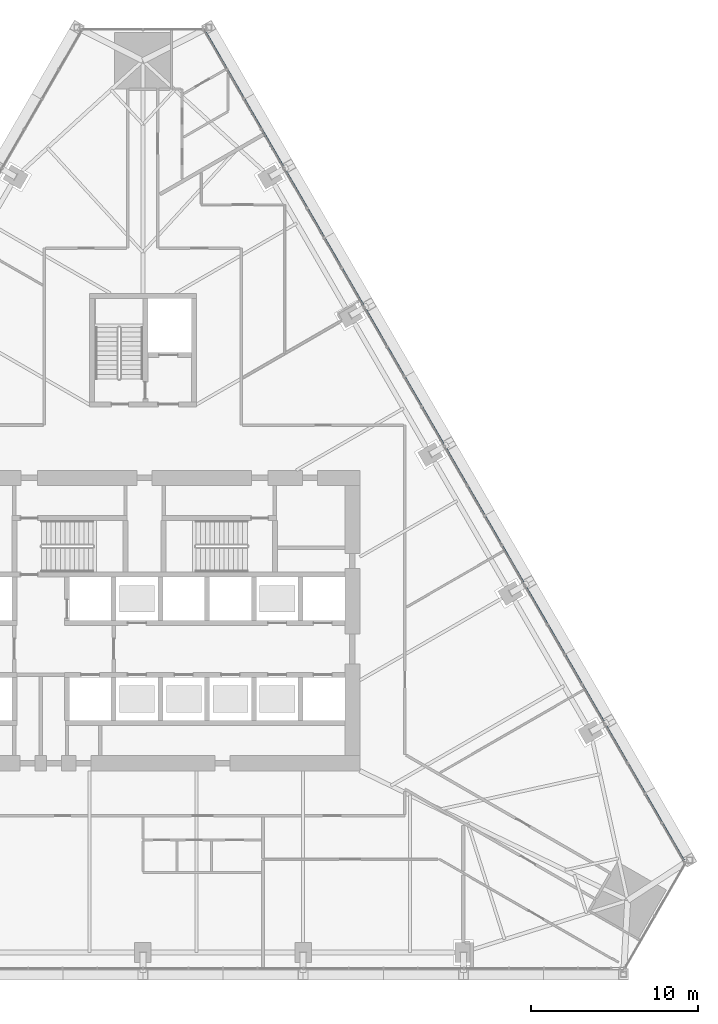
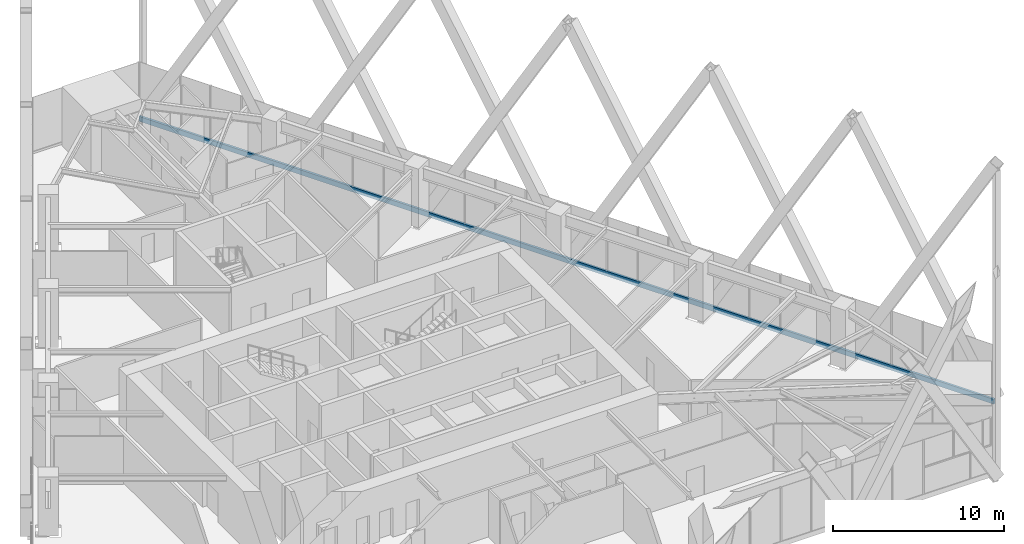
# One storey, part 9 of 26: 1 member, 1 element without a shape of its own.
"""IFC4 building model written with IfcOpenShell, lengths in metres."""

from ifc_helpers import new_model, si_unit, direction, frame, origin, origin_2d, place, context, subcontext, project, spatial, rectangle, extrude, material, layer, layer_set, material_profile, profile_set, type_object, element, aggregate, save


model = new_model("IFC4")

# Units and contexts
model_context = context("Model", 3, precision=1e-05, world=origin(), true_north=direction((0.0, 1.0)))
body_context = subcontext(model_context, "Body", "Model", "MODEL_VIEW")
ifc_project = project(units=[si_unit("LENGTHUNIT", "METRE"), si_unit("AREAUNIT", "SQUARE_METRE"), si_unit("VOLUMEUNIT", "CUBIC_METRE"), si_unit("PLANEANGLEUNIT", "RADIAN"), si_unit("MASSUNIT", "GRAM", prefix="KILO")], contexts=[model_context])

# Site, building, storey
site_placement = place(None, origin())
site = spatial("IfcSite", under=ifc_project, at=site_placement, CompositionType="ELEMENT")
building_placement = place(site_placement, origin())
building = spatial("IfcBuilding", under=site, at=building_placement, Name="Firuza Gate Tower and Library", CompositionType="ELEMENT")
storey_placement = place(building_placement, frame((0.0, 0.0, 40.0)))
storey = spatial("IfcBuildingStorey", under=building, at=storey_placement, Name="L08", CompositionType="ELEMENT", Elevation=40.0)

# Curtain wall, member
ifc_material_1 = material(Name="Aluminium 6063-T6", Category="aluminium")
ifc_layer = layer(ifc_material_1, 0.14990234375)
ifc_layer_set = layer_set([ifc_layer], Name="Unitised curtain wall, offices")
curtain_wall_type = type_object("IfcCurtainWallType", Name="Unitised curtain wall, offices", PredefinedType="NOTDEFINED", material=ifc_layer_set)
curtain_wall_placement = place(storey_placement, origin())
curtain_wall = element("IfcCurtainWall", 1, at=curtain_wall_placement, inside=storey, type_object=curtain_wall_type, Name="CW1 L08 E face", PredefinedType="NOTDEFINED")
ifc_material_2 = material(Name="Aluminium 6063-T6", Category="aluminium")
ifc_material_profile = material_profile(ifc_material_2, rectangle(XDim=0.14990234375, YDim=0.35009765625, at=origin_2d()))
ifc_profile_set = profile_set([ifc_material_profile], Name="Aluminium 6063-T6")
member_type = type_object("IfcMemberType", Name="Curtain wall transom 350x150", PredefinedType="USERDEFINED", material=ifc_profile_set)
member_placement = place(storey_placement, frame((107.486572265625, 60.45068359375, -0.02490234375), z_axis=(-0.499998069382, 0.866026518424, 0.0), x_axis=(-0.866026518424, -0.499998069382, 0.0)))
member = element("IfcMember", 2, at=member_placement, type_object=member_type, Name="Transom", ObjectType="TRANSOM", PredefinedType="USERDEFINED", context=body_context, shape_type="SweptSolid", body=[
    extrude(rectangle(XDim=0.14990234375, YDim=0.35009765625, at=origin_2d()), origin(), (0.0, 0.0, 1.0), 57.686767578125),
])
aggregate(curtain_wall, [member])

save(model, "model.ifc")
